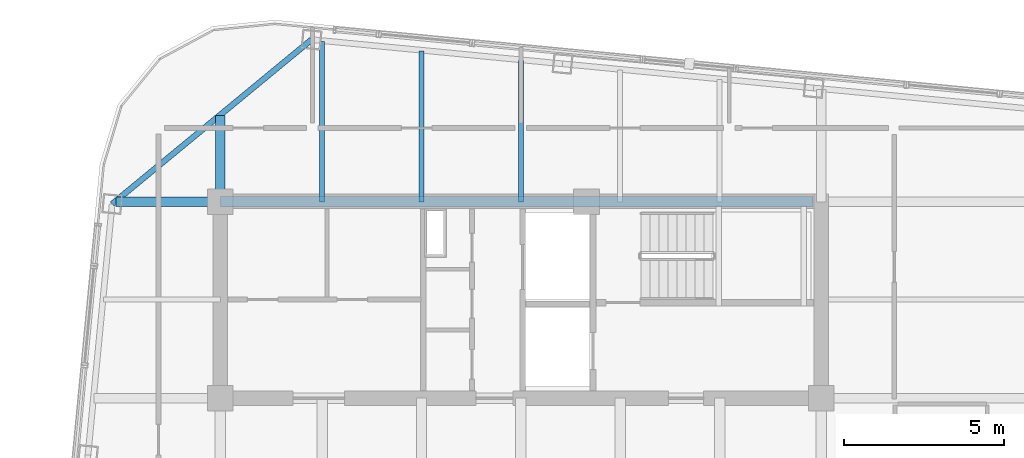
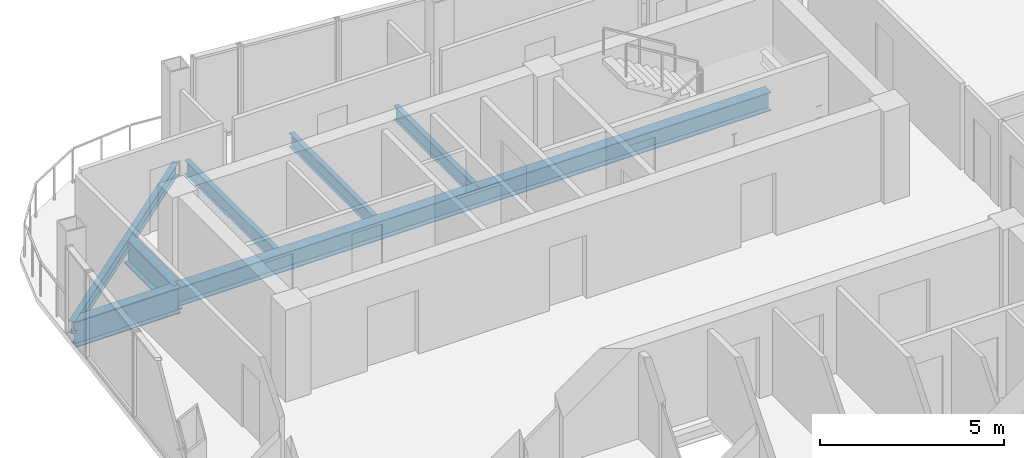
# One storey, part 13 of 23: 7 beams.
"""IFC4 building model written with IfcOpenShell, lengths in metres."""

from ifc_helpers import new_model, si_unit, direction, frame, origin, origin_2d, place, context, subcontext, project, spatial, i_section, extrude, material, material_profile, profile_set, type_object, element, save


model = new_model("IFC4")

# Units and contexts
model_context = context("Model", 3, precision=1e-05, world=origin(), true_north=direction((0.0, 1.0)))
body_context = subcontext(model_context, "Body", "Model", "MODEL_VIEW")
ifc_project = project(units=[si_unit("LENGTHUNIT", "METRE"), si_unit("AREAUNIT", "SQUARE_METRE"), si_unit("VOLUMEUNIT", "CUBIC_METRE"), si_unit("PLANEANGLEUNIT", "RADIAN"), si_unit("MASSUNIT", "GRAM", prefix="KILO")], contexts=[model_context])

# Site, building, storey
site_placement = place(None, origin())
site = spatial("IfcSite", under=ifc_project, at=site_placement, CompositionType="ELEMENT")
building_placement = place(site_placement, origin())
building = spatial("IfcBuilding", under=site, at=building_placement, Name="Qhalaya Broadcast Tower", CompositionType="ELEMENT")
storey_placement = place(building_placement, frame((0.0, 0.0, 261.14990234375)))
storey = spatial("IfcBuildingStorey", under=building, at=storey_placement, Name="L77", CompositionType="ELEMENT", Elevation=261.14990234375)

# Beams
ifc_material = material(Name="Structural Steel ASTM A992 Grade 50", Category="steel")
ifc_material_profile_1 = material_profile(ifc_material, i_section(OverallWidth=0.154052734375, OverallDepth=0.458984375, WebThickness=0.009033203125, FlangeThickness=0.015380859375, at=origin_2d()), Name="W18X46")
ifc_profile_set_1 = profile_set([ifc_material_profile_1], Name="Structural Steel ASTM A992 Grade 50")
beam_type_1 = type_object("IfcBeamType", Name="Composite Floor Joist J04", PredefinedType="JOIST", material=ifc_profile_set_1)
beam_1_placement = place(storey_placement, frame((-6.199951171875, 9.949951171875, -0.41943359375), z_axis=(0.0, 1.0, 0.0), x_axis=(-1.0, 0.0, 0.0)))
element("IfcBeam", 1, at=beam_1_placement, inside=storey, type_object=beam_type_1, Name="L77 J04 L77-JNN1-1", PredefinedType="JOIST", context=body_context, shape_type="SweptSolid", body=[
    extrude(i_section(OverallWidth=0.154052734375, OverallDepth=0.458984375, WebThickness=0.009033203125, FlangeThickness=0.015380859375, at=origin_2d()), origin(), (0.0, 0.0, 1.0), 5.0087890625),
])
beam_2_placement = place(storey_placement, frame((-3.10009765625, 9.949951171875, -0.41943359375), z_axis=(0.0, 1.0, 0.0), x_axis=(-1.0, 0.0, 0.0)))
element("IfcBeam", 2, at=beam_2_placement, inside=storey, type_object=beam_type_1, Name="L77 J04 L77-JNN2-1", PredefinedType="JOIST", context=body_context, shape_type="SweptSolid", body=[
    extrude(i_section(OverallWidth=0.154052734375, OverallDepth=0.458984375, WebThickness=0.009033203125, FlangeThickness=0.015380859375, at=origin_2d()), origin(), (0.0, 0.0, 1.0), 4.710205078125),
])
beam_3_placement = place(storey_placement, frame((0.0, 9.949951171875, -0.41943359375), z_axis=(0.0, 1.0, 0.0), x_axis=(-1.0, 0.0, 0.0)))
element("IfcBeam", 3, at=beam_3_placement, inside=storey, type_object=beam_type_1, Name="L77 J04 L77-JNN3-1", PredefinedType="JOIST", context=body_context, shape_type="SweptSolid", body=[
    extrude(i_section(OverallWidth=0.154052734375, OverallDepth=0.458984375, WebThickness=0.009033203125, FlangeThickness=0.015380859375, at=origin_2d()), origin(), (0.0, 0.0, 1.0), 4.411865234375),
])
ifc_material_profile_2 = material_profile(ifc_material, i_section(OverallWidth=0.323974609375, OverallDepth=0.612060546875, WebThickness=0.0126953125, FlangeThickness=0.01904296875, at=origin_2d()), Name="W24X104")
ifc_profile_set_2 = profile_set([ifc_material_profile_2], Name="Structural Steel ASTM A992 Grade 50")
beam_type_2 = type_object("IfcBeamType", Name="Core Frame Tie Beam B04", PredefinedType="BEAM", material=ifc_profile_set_2)
beam_4_placement = place(storey_placement, frame((-9.375, 9.949951171875, -0.495849609375), z_axis=(1.0, 0.0, 0.0), x_axis=(0.0, 1.0, 0.0)))
element("IfcBeam", 4, at=beam_4_placement, inside=storey, type_object=beam_type_2, Name="L77 B04 L77-CCN3", PredefinedType="BEAM", context=body_context, shape_type="SweptSolid", body=[
    extrude(i_section(OverallWidth=0.323974609375, OverallDepth=0.612060546875, WebThickness=0.0126953125, FlangeThickness=0.01904296875, at=origin_2d()), origin(), (0.0, 0.0, 1.0), 18.4951171875),
])
ifc_material_profile_3 = material_profile(ifc_material, i_section(OverallWidth=0.2919921875, OverallDepth=0.85888671875, WebThickness=0.01708984375, FlangeThickness=0.031005859375, at=origin_2d()), Name="W33X169")
ifc_profile_set_3 = profile_set([ifc_material_profile_3], Name="Structural Steel ASTM A992 Grade 50")
beam_type_3 = type_object("IfcBeamType", Name="Upper Block Primary Girder PG4", PredefinedType="USERDEFINED", material=ifc_profile_set_3)
beam_5_placement = place(storey_placement, frame((-9.375, 9.949951171875, -0.619384765625), z_axis=(0.0, 1.0, 0.0), x_axis=(-1.0, 0.0, 0.0)))
element("IfcBeam", 5, at=beam_5_placement, inside=storey, type_object=beam_type_3, Name="L77 PG4 L77-PGXN1-1", ObjectType="GIRDER", PredefinedType="USERDEFINED", context=body_context, shape_type="SweptSolid", body=[
    extrude(i_section(OverallWidth=0.2919921875, OverallDepth=0.85888671875, WebThickness=0.01708984375, FlangeThickness=0.031005859375, at=origin_2d()), origin(), (0.0, 0.0, 1.0), 2.68798828125),
])
beam_6_placement = place(storey_placement, frame((-12.6357421875, 9.949951171875, -0.619384765625), z_axis=(1.0, 0.0, 0.0), x_axis=(0.0, 1.0, 0.0)))
element("IfcBeam", 6, at=beam_6_placement, inside=storey, type_object=beam_type_3, Name="L77 PG4 L77-PGYW4-1", ObjectType="GIRDER", PredefinedType="USERDEFINED", context=body_context, shape_type="SweptSolid", body=[
    extrude(i_section(OverallWidth=0.2919921875, OverallDepth=0.85888671875, WebThickness=0.01708984375, FlangeThickness=0.031005859375, at=origin_2d()), origin(), (0.0, 0.0, 1.0), 3.2607421875),
])
ifc_material_profile_4 = material_profile(ifc_material, i_section(OverallWidth=0.177978515625, OverallDepth=0.406005859375, WebThickness=0.0078125, FlangeThickness=0.0126953125, at=origin_2d()), Name="W16X40")
ifc_profile_set_4 = profile_set([ifc_material_profile_4], Name="Structural Steel ASTM A992 Grade 50")
beam_type_4 = type_object("IfcBeamType", Name="Upper Perimeter Spandrel Beam SP2", PredefinedType="SPANDREL", material=ifc_profile_set_4)
beam_7_placement = place(storey_placement, frame((-6.5283203125, 15.010498046875, -0.392822265625), z_axis=(-0.771631160126, -0.636070241972, 0.0), x_axis=(0.636070241972, -0.771631160126, 0.0)))
element("IfcBeam", 7, at=beam_7_placement, inside=storey, type_object=beam_type_4, Name="L77 SP2 L77-SPR-12", PredefinedType="SPANDREL", context=body_context, shape_type="SweptSolid", body=[
    extrude(i_section(OverallWidth=0.177978515625, OverallDepth=0.406005859375, WebThickness=0.0078125, FlangeThickness=0.0126953125, at=origin_2d()), origin(), (0.0, 0.0, 1.0), 8.06103515625),
])

save(model, "model.ifc")
